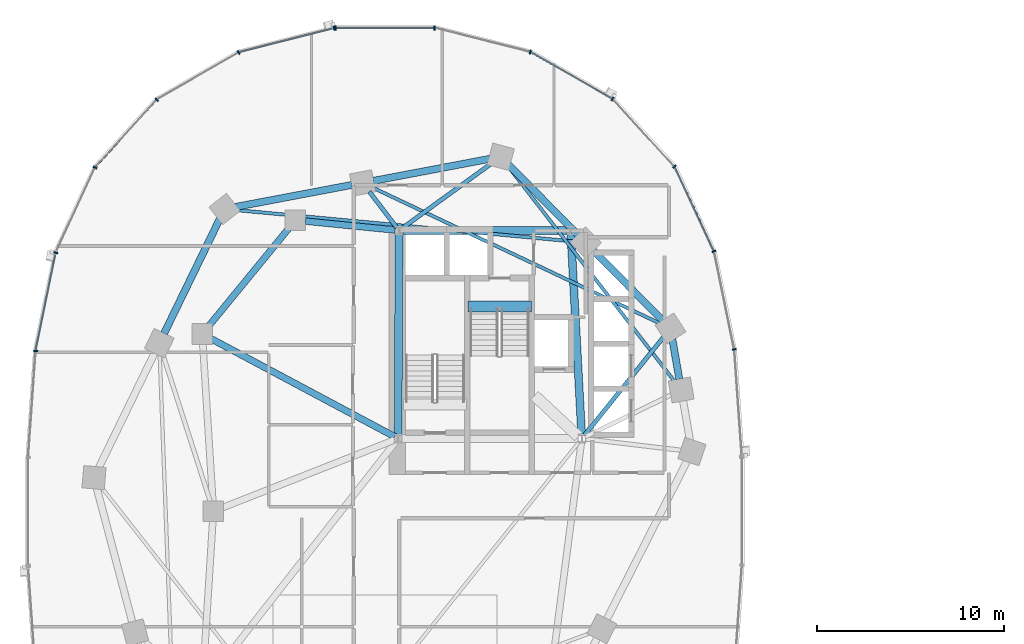
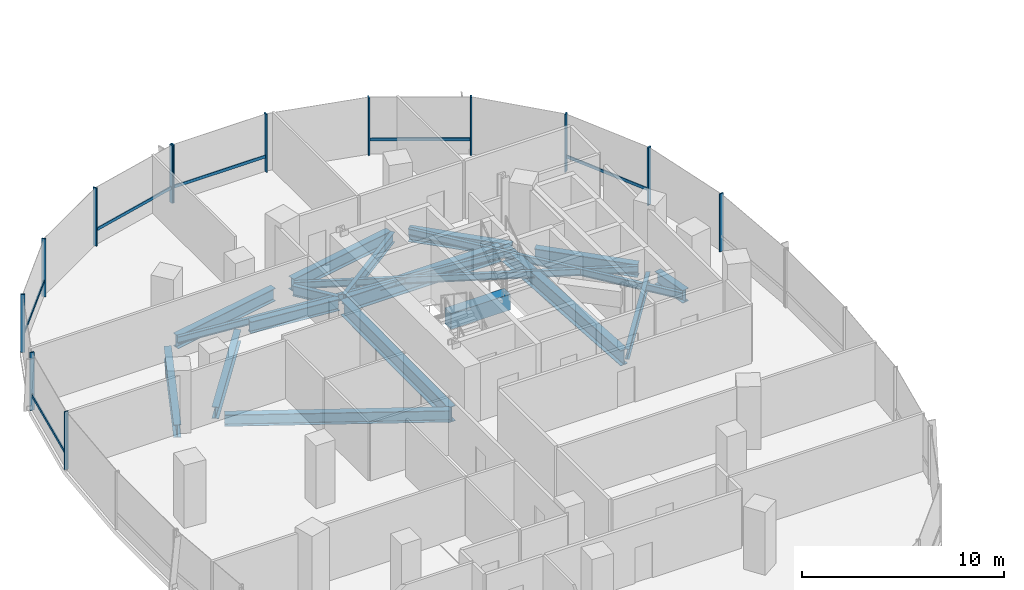
# One storey, part 4 of 22: 19 beams, 19 members, 2 elements without a shape of their own.
"""IFC4 building model written with IfcOpenShell, lengths in metres."""

from ifc_helpers import new_model, si_unit, direction, frame, origin, origin_2d, place, context, subcontext, project, spatial, rectangle, i_section, extrude, material, material_profile, profile_set, type_object, element, aggregate, save


model = new_model("IFC4")

# Units and contexts
model_context = context("Model", 3, precision=1e-05, world=origin(), true_north=direction((0.0, 1.0)))
body_context = subcontext(model_context, "Body", "Model", "MODEL_VIEW")
ifc_project = project(units=[si_unit("LENGTHUNIT", "METRE"), si_unit("AREAUNIT", "SQUARE_METRE"), si_unit("VOLUMEUNIT", "CUBIC_METRE"), si_unit("PLANEANGLEUNIT", "RADIAN"), si_unit("MASSUNIT", "GRAM", prefix="KILO"), si_unit("THERMODYNAMICTEMPERATUREUNIT", "KELVIN"), si_unit("POWERUNIT", "WATT")], contexts=[model_context])

# Site, building, storey
site_placement = place(None, origin())
site = spatial("IfcSite", under=ifc_project, at=site_placement, CompositionType="ELEMENT")
building_placement = place(site_placement, origin())
building = spatial("IfcBuilding", under=site, at=building_placement, Name="Cundina Bronze Exchange", CompositionType="ELEMENT")
storey_placement = place(building_placement, frame((0.0, 0.0, 35.39990234375)))
storey = spatial("IfcBuildingStorey", under=building, at=storey_placement, Name="L08", CompositionType="ELEMENT", Elevation=35.39990234375)

# Beams
ifc_material_1 = material(Name="Concrete C60/75", Category="concrete")
ifc_material_profile_1 = material_profile(ifc_material_1, rectangle(XDim=0.60009765625, YDim=0.949951171875, at=origin_2d()), Name="RC600X950", Category="concrete")
ifc_profile_set_1 = profile_set([ifc_material_profile_1], Name="Concrete C60/75")
beam_type_1 = type_object("IfcBeamType", Name="BM-COUP-RC950", PredefinedType="LINTEL", material=ifc_profile_set_1)
beam_1_placement = place(storey_placement, frame((-27.56005859375, 10.97998046875, -0.474853515625), z_axis=(1.0, 0.0, 0.0), x_axis=(0.0, 1.0, 0.0)))
element("IfcBeam", 1, at=beam_1_placement, inside=storey, type_object=beam_type_1, Name="L08 Stair W2 Landing Header Beam", PredefinedType="LINTEL", context=body_context, shape_type="SweptSolid", body=[
    extrude(rectangle(XDim=0.60009765625, YDim=0.949951171875, at=origin_2d()), origin(), (0.0, 0.0, 1.0), 3.400146484375),
])
ifc_material_2 = material(Name="Steel ASTM A992 Grade 50", Category="steel")
ifc_material_profile_2 = material_profile(ifc_material_2, i_section(OverallWidth=0.22998046875, OverallDepth=0.616943359375, WebThickness=0.01318359375, FlangeThickness=0.022216796875, FilletRadius=0.013916015625, at=origin_2d()), Name="W24X94", Category="steel")
ifc_profile_set_2 = profile_set([ifc_material_profile_2], Name="Steel ASTM A992 Grade 50")
beam_type_2 = type_object("IfcBeamType", Name="BM-FLR-W24B", PredefinedType="BEAM", material=ifc_profile_set_2)
beam_2_placement = place(storey_placement, frame((-21.322021484375, 4.058837890625, -0.6083984375), z_axis=(0.627106366175, 0.778933633568, 0.0), x_axis=(-0.778933633568, 0.627106366175, 0.0)))
element("IfcBeam", 2, at=beam_2_placement, inside=storey, type_object=beam_type_2, Name="L08 Leg W Radial Floor Beam 02", PredefinedType="BEAM", context=body_context, shape_type="SweptSolid", body=[
    extrude(i_section(OverallWidth=0.22998046875, OverallDepth=0.616943359375, WebThickness=0.01318359375, FlangeThickness=0.022216796875, FilletRadius=0.013916015625, at=origin_2d()), origin(), (0.0, 0.0, 1.0), 6.78271484375),
])
beam_3_placement = place(storey_placement, frame((-31.084716796875, 15.169677734375, -0.6083984375), z_axis=(0.809700299677, 0.586843611794, 0.0), x_axis=(-0.586843611794, 0.809700299677, 0.0)))
element("IfcBeam", 3, at=beam_3_placement, inside=storey, type_object=beam_type_2, Name="L08 Leg W Radial Floor Beam 04", PredefinedType="BEAM", context=body_context, shape_type="SweptSolid", body=[
    extrude(i_section(OverallWidth=0.22998046875, OverallDepth=0.616943359375, WebThickness=0.01318359375, FlangeThickness=0.022216796875, FilletRadius=0.013916015625, at=origin_2d()), origin(), (0.0, 0.0, 1.0), 5.938720703125),
])
beam_4_placement = place(storey_placement, frame((-31.373779296875, 15.2119140625, -0.6083984375), z_axis=(-0.607468844289, 0.794343504548, 0.0), x_axis=(-0.794343504548, -0.607468844289, 0.0)))
element("IfcBeam", 4, at=beam_4_placement, inside=storey, type_object=beam_type_2, Name="L08 Leg W Radial Floor Beam 05", PredefinedType="BEAM", context=body_context, shape_type="SweptSolid", body=[
    extrude(i_section(OverallWidth=0.22998046875, OverallDepth=0.616943359375, WebThickness=0.01318359375, FlangeThickness=0.022216796875, FilletRadius=0.013916015625, at=origin_2d()), origin(), (0.0, 0.0, 1.0), 2.418212890625),
])
ifc_material_profile_3 = material_profile(ifc_material_2, i_section(OverallWidth=0.178955078125, OverallDepth=0.409912109375, WebThickness=0.0087890625, FlangeThickness=0.014404296875, FilletRadius=0.010986328125, at=origin_2d()), Name="W16X45", Category="steel")
ifc_profile_set_3 = profile_set([ifc_material_profile_3], Name="Steel ASTM A992 Grade 50")
beam_type_3 = type_object("IfcBeamType", Name="BM-JST-W16", PredefinedType="JOIST", material=ifc_profile_set_3)
beam_5_placement = place(storey_placement, frame((-16.48486328125, 6.965087890625, -0.5048828125), z_axis=(-0.612089386305, 0.790788583108, 0.0), x_axis=(-0.790788583108, -0.612089386305, 0.0)))
element("IfcBeam", 5, at=beam_5_placement, inside=storey, type_object=beam_type_3, Name="L08 Leg W Lobe Floor Joist 01-04", PredefinedType="JOIST", context=body_context, shape_type="SweptSolid", body=[
    extrude(i_section(OverallWidth=0.178955078125, OverallDepth=0.409912109375, WebThickness=0.0087890625, FlangeThickness=0.014404296875, FilletRadius=0.010986328125, at=origin_2d()), origin(), (0.0, 0.0, 1.0), 14.630859375),
])
beam_6_placement = place(storey_placement, frame((-17.231689453125, 10.05126953125, -0.5048828125), z_axis=(-0.904072668297, 0.427378766949, 0.0), x_axis=(-0.427378766949, -0.904072668297, 0.0)))
element("IfcBeam", 6, at=beam_6_placement, inside=storey, type_object=beam_type_3, Name="L08 Leg W Lobe Floor Joist 02-05", PredefinedType="JOIST", context=body_context, shape_type="SweptSolid", body=[
    extrude(i_section(OverallWidth=0.178955078125, OverallDepth=0.409912109375, WebThickness=0.0087890625, FlangeThickness=0.014404296875, FilletRadius=0.010986328125, at=origin_2d()), origin(), (0.0, 0.0, 1.0), 17.07470703125),
])
beam_7_placement = place(storey_placement, frame((-21.83544921875, 14.45458984375, -0.5048828125), z_axis=(-0.995701961644, 0.09261535282, 0.0), x_axis=(-0.09261535282, -0.995701961644, 0.0)))
element("IfcBeam", 7, at=beam_7_placement, inside=storey, type_object=beam_type_3, Name="L08 Leg W Lobe Floor Joist 03-06", PredefinedType="JOIST", context=body_context, shape_type="SweptSolid", body=[
    extrude(i_section(OverallWidth=0.178955078125, OverallDepth=0.409912109375, WebThickness=0.0087890625, FlangeThickness=0.014404296875, FilletRadius=0.010986328125, at=origin_2d()), origin(), (0.0, 0.0, 1.0), 18.25732421875),
])
ifc_material_profile_4 = material_profile(ifc_material_2, i_section(OverallWidth=0.35498046875, OverallDepth=0.695068359375, WebThickness=0.015380859375, FlangeThickness=0.02490234375, FilletRadius=0.01806640625, at=origin_2d()), Name="W27X146", Category="steel")
ifc_profile_set_4 = profile_set([ifc_material_profile_4], Name="Steel ASTM A992 Grade 50")
beam_type_4 = type_object("IfcBeamType", Name="BM-RING-W27", PredefinedType="USERDEFINED", material=ifc_profile_set_4)
beam_8_placement = place(storey_placement, frame((-31.452880859375, 15.070068359375, -0.6474609375), z_axis=(-0.995126271817, 0.098608839051, 0.0), x_axis=(-0.098608839051, -0.995126271817, 0.0)))
element("IfcBeam", 8, at=beam_8_placement, inside=storey, type_object=beam_type_4, Name="L08 W Inner Structural Ring Girder 01", ObjectType="GIRDER", PredefinedType="USERDEFINED", context=body_context, shape_type="SweptSolid", body=[
    extrude(i_section(OverallWidth=0.35498046875, OverallDepth=0.695068359375, WebThickness=0.015380859375, FlangeThickness=0.02490234375, FilletRadius=0.01806640625, at=origin_2d()), origin(), (0.0, 0.0, 1.0), 4.83544921875),
])
beam_9_placement = place(storey_placement, frame((-37.14111328125, 15.183837890625, -0.6474609375), z_axis=(-0.633926549035, -0.773393257295, 0.0), x_axis=(0.773393257295, -0.633926549035, 0.0)))
element("IfcBeam", 9, at=beam_9_placement, inside=storey, type_object=beam_type_4, Name="L08 W Inner Structural Ring Girder 02", ObjectType="GIRDER", PredefinedType="USERDEFINED", context=body_context, shape_type="SweptSolid", body=[
    extrude(i_section(OverallWidth=0.35498046875, OverallDepth=0.695068359375, WebThickness=0.015380859375, FlangeThickness=0.02490234375, FilletRadius=0.01806640625, at=origin_2d()), origin(), (0.0, 0.0, 1.0), 6.811279296875),
])
beam_10_placement = place(storey_placement, frame((-31.47998046875, 3.99609375, -0.6474609375), z_axis=(-0.882354758239, 0.470584828286, 0.0), x_axis=(-0.470584828286, -0.882354758239, 0.0)))
element("IfcBeam", 10, at=beam_10_placement, inside=storey, type_object=beam_type_4, Name="L08 W Core-to-Waist Tie Beam 2", ObjectType="GIRDER", PredefinedType="USERDEFINED", context=body_context, shape_type="SweptSolid", body=[
    extrude(i_section(OverallWidth=0.35498046875, OverallDepth=0.695068359375, WebThickness=0.015380859375, FlangeThickness=0.02490234375, FilletRadius=0.01806640625, at=origin_2d()), origin(), (0.0, 0.0, 1.0), 11.157958984375),
])
ifc_material_profile_5 = material_profile(ifc_material_2, i_section(OverallWidth=0.381103515625, OverallDepth=0.77294921875, WebThickness=0.0166015625, FlangeThickness=0.027099609375, FilletRadius=0.01904296875, at=origin_2d()), Name="W30X173", Category="steel")
ifc_profile_set_5 = profile_set([ifc_material_profile_5], Name="Steel ASTM A992 Grade 50")
beam_type_5 = type_object("IfcBeamType", Name="BM-RING-W30", PredefinedType="USERDEFINED", material=ifc_profile_set_5)
beam_11_placement = place(storey_placement, frame((-16.225830078125, 7.079345703125, -0.6865234375), z_axis=(-0.171734584051, 0.985143254883, 0.0), x_axis=(-0.985143254883, -0.171734584051, 0.0)))
element("IfcBeam", 11, at=beam_11_placement, inside=storey, type_object=beam_type_5, Name="L08 W Perimeter Ring Girder 01", ObjectType="GIRDER", PredefinedType="USERDEFINED", context=body_context, shape_type="SweptSolid", body=[
    extrude(i_section(OverallWidth=0.381103515625, OverallDepth=0.77294921875, WebThickness=0.0166015625, FlangeThickness=0.027099609375, FilletRadius=0.01904296875, at=origin_2d()), origin(), (0.0, 0.0, 1.0), 2.173583984375),
])
for number, where, z_axis, x_axis, name in (
    (12, (-17.113525390625, 10.218017578125, -0.6865234375), (-0.703222428859, 0.710969911845, 0.0), (-0.710969911845, -0.703222428859, 0.0), "L08 W Perimeter Ring Girder 02"),
    (13, (-21.66357421875, 14.818115234375, -0.6865234375), (-0.703222428859, 0.710969911845, 0.0), (-0.710969911845, -0.703222428859, 0.0), "L08 W Perimeter Ring Girder 03"),
):
    element("IfcBeam", number, at=place(storey_placement, frame(where, z_axis=z_axis, x_axis=x_axis)), inside=storey, type_object=beam_type_5, Name=name, ObjectType="GIRDER", PredefinedType="USERDEFINED", context=body_context, shape_type="SweptSolid", body=[
        extrude(i_section(OverallWidth=0.381103515625, OverallDepth=0.77294921875, WebThickness=0.0166015625, FlangeThickness=0.027099609375, FilletRadius=0.01904296875, at=origin_2d()), origin(), (0.0, 0.0, 1.0), 5.2939453125),
    ])
beam_12_placement = place(storey_placement, frame((-26.377685546875, 18.890625, -0.6865234375), z_axis=(-0.982570814598, -0.185888661031, 0.0), x_axis=(0.185888661031, -0.982570814598, 0.0)))
element("IfcBeam", 14, at=beam_12_placement, inside=storey, type_object=beam_type_5, Name="L08 W Perimeter Ring Girder 04", ObjectType="GIRDER", PredefinedType="USERDEFINED", context=body_context, shape_type="SweptSolid", body=[
    extrude(i_section(OverallWidth=0.381103515625, OverallDepth=0.77294921875, WebThickness=0.0166015625, FlangeThickness=0.027099609375, FilletRadius=0.01904296875, at=origin_2d()), origin(), (0.0, 0.0, 1.0), 6.35546875),
])
beam_13_placement = place(storey_placement, frame((-33.77783203125, 17.49072265625, -0.6865234375), z_axis=(-0.982569487119, -0.185895677686, 0.0), x_axis=(0.185895677686, -0.982569487119, 0.0)))
element("IfcBeam", 15, at=beam_13_placement, inside=storey, type_object=beam_type_5, Name="L08 W Perimeter Ring Girder 05", ObjectType="GIRDER", PredefinedType="USERDEFINED", context=body_context, shape_type="SweptSolid", body=[
    extrude(i_section(OverallWidth=0.381103515625, OverallDepth=0.77294921875, WebThickness=0.0166015625, FlangeThickness=0.027099609375, FilletRadius=0.01904296875, at=origin_2d()), origin(), (0.0, 0.0, 1.0), 6.355224609375),
])
beam_14_placement = place(storey_placement, frame((-40.857177734375, 15.671142578125, -0.6865234375), z_axis=(-0.437190698904, -0.899368830231, 0.0), x_axis=(0.899368830231, -0.437190698904, 0.0)))
element("IfcBeam", 16, at=beam_14_placement, inside=storey, type_object=beam_type_5, Name="L08 W Perimeter Ring Girder 06", ObjectType="GIRDER", PredefinedType="USERDEFINED", context=body_context, shape_type="SweptSolid", body=[
    extrude(i_section(OverallWidth=0.381103515625, OverallDepth=0.77294921875, WebThickness=0.0166015625, FlangeThickness=0.027099609375, FilletRadius=0.01904296875, at=origin_2d()), origin(), (0.0, 0.0, 1.0), 6.82958984375),
])
ifc_material_profile_6 = material_profile(ifc_material_2, i_section(OverallWidth=0.41796875, OverallDepth=0.927001953125, WebThickness=0.019287109375, FlangeThickness=0.031982421875, FilletRadius=0.02392578125, at=origin_2d()), Name="W36X231", Category="steel")
ifc_profile_set_6 = profile_set([ifc_material_profile_6], Name="Steel ASTM A992 Grade 50")
beam_type_6 = type_object("IfcBeamType", Name="BM-WRN-W36B", PredefinedType="USERDEFINED", material=ifc_profile_set_6)
beam_15_placement = place(storey_placement, frame((-21.4609375, 4.103759765625, -0.763427734375), z_axis=(-0.053739193498, 0.998555005537, 0.0), x_axis=(-0.998555005537, -0.053739193498, 0.0)))
element("IfcBeam", 17, at=beam_15_placement, inside=storey, type_object=beam_type_6, Name="L08 W Core Perimeter Tie Girder 2", ObjectType="GIRDER", PredefinedType="USERDEFINED", context=body_context, shape_type="SweptSolid", body=[
    extrude(i_section(OverallWidth=0.41796875, OverallDepth=0.927001953125, WebThickness=0.019287109375, FlangeThickness=0.031982421875, FilletRadius=0.02392578125, at=origin_2d()), origin(), (0.0, 0.0, 1.0), 10.758056640625),
])
beam_16_placement = place(storey_placement, frame((-22.25390625, 15.050048828125, -0.763427734375), z_axis=(-1.0, 0.0, 0.0), x_axis=(0.0, -1.0, 0.0)))
element("IfcBeam", 18, at=beam_16_placement, inside=storey, type_object=beam_type_6, Name="L08 W Core Perimeter Tie Girder 3", ObjectType="GIRDER", PredefinedType="USERDEFINED", context=body_context, shape_type="SweptSolid", body=[
    extrude(i_section(OverallWidth=0.41796875, OverallDepth=0.927001953125, WebThickness=0.019287109375, FlangeThickness=0.031982421875, FilletRadius=0.02392578125, at=origin_2d()), origin(), (0.0, 0.0, 1.0), 8.7919921875),
])
beam_17_placement = place(storey_placement, frame((-31.2509765625, 14.845947265625, -0.763427734375), z_axis=(-0.004477329608, -0.99998997671, 0.0), x_axis=(0.99998997671, -0.004477329608, 0.0)))
element("IfcBeam", 19, at=beam_17_placement, inside=storey, type_object=beam_type_6, Name="L08 W Core Perimeter Tie Girder 4", ObjectType="GIRDER", PredefinedType="USERDEFINED", context=body_context, shape_type="SweptSolid", body=[
    extrude(i_section(OverallWidth=0.41796875, OverallDepth=0.927001953125, WebThickness=0.019287109375, FlangeThickness=0.031982421875, FilletRadius=0.02392578125, at=origin_2d()), origin(), (0.0, 0.0, 1.0), 10.741943359375),
])

# Curtain wall, members
ifc_material_3 = material(Name="Anodised Bronze Aluminium 6063-T6", Category="aluminium")
curtain_wall_type = type_object("IfcCurtainWallType", Name="CWS-TRD-LOW", PredefinedType="NOTDEFINED", material=ifc_material_3)
curtain_wall_1_placement = place(storey_placement, origin())
curtain_wall_1 = element("IfcCurtainWall", 20, at=curtain_wall_1_placement, inside=storey, type_object=curtain_wall_type, Name="L08 CW-02 Curtain Wall Run CWR-L08-W1", PredefinedType="NOTDEFINED")
ifc_material_profile_7 = material_profile(ifc_material_3, rectangle(XDim=0.074951171875, YDim=0.219970703125, at=origin_2d()), Name="AL75X220", Category="aluminium")
ifc_profile_set_7 = profile_set([ifc_material_profile_7], Name="Anodised Bronze Aluminium 6063-T6")
member_type_1 = type_object("IfcMemberType", Name="CWM-MUL-220", PredefinedType="MULLION", material=ifc_profile_set_7)
member_1_placement = place(storey_placement, frame((-13.282958984375, 8.67822265625, 0.0), z_axis=(0.0, 0.0, 1.0), x_axis=(-0.201419845156, 0.979505000486, 0.0)))
member_1 = element("IfcMember", 21, at=member_1_placement, type_object=member_type_1, Name="CW-02 Mullion 2", PredefinedType="MULLION", context=body_context, shape_type="SweptSolid", body=[
    extrude(rectangle(XDim=0.074951171875, YDim=0.219970703125, at=origin_2d()), origin(), (0.0, 0.0, 1.0), 3.5),
])
member_2_placement = place(storey_placement, frame((-14.3720703125, 13.931884765625, 0.0), z_axis=(0.0, 0.0, 1.0), x_axis=(-0.42087749791, 0.907117485088, 0.0)))
member_2 = element("IfcMember", 22, at=member_2_placement, type_object=member_type_1, Name="CW-02 Mullion 3", PredefinedType="MULLION", context=body_context, shape_type="SweptSolid", body=[
    extrude(rectangle(XDim=0.074951171875, YDim=0.219970703125, at=origin_2d()), origin(), (0.0, 0.0, 1.0), 3.5),
])
member_3_placement = place(storey_placement, frame((-16.491455078125, 18.47705078125, 0.0), z_axis=(0.0, 0.0, 1.0), x_axis=(-0.674302387584, 0.738455340626, 0.0)))
member_3 = element("IfcMember", 23, at=member_3_placement, type_object=member_type_1, Name="CW-02 Mullion 4", PredefinedType="MULLION", context=body_context, shape_type="SweptSolid", body=[
    extrude(rectangle(XDim=0.074951171875, YDim=0.219970703125, at=origin_2d()), origin(), (0.0, 0.0, 1.0), 3.5),
])
member_4_placement = place(storey_placement, frame((-19.810302734375, 22.097412109375, 0.0), z_axis=(0.0, 0.0, 1.0), x_axis=(-0.867070701164, 0.498185105339, 0.0)))
member_4 = element("IfcMember", 24, at=member_4_placement, type_object=member_type_1, Name="CW-02 Mullion 5", PredefinedType="MULLION", context=body_context, shape_type="SweptSolid", body=[
    extrude(rectangle(XDim=0.074951171875, YDim=0.219970703125, at=origin_2d()), origin(), (0.0, 0.0, 1.0), 3.5),
])
member_5_placement = place(storey_placement, frame((-24.21484375, 24.61669921875, 0.0), z_axis=(0.0, 0.0, 1.0), x_axis=(-0.969488149345, 0.245138182011, 0.0)))
member_5 = element("IfcMember", 25, at=member_5_placement, type_object=member_type_1, Name="CW-02 Mullion 6", PredefinedType="MULLION", context=body_context, shape_type="SweptSolid", body=[
    extrude(rectangle(XDim=0.074951171875, YDim=0.219970703125, at=origin_2d()), origin(), (0.0, 0.0, 1.0), 3.5),
])
member_6_placement = place(storey_placement, frame((-29.345458984375, 25.905029296875, 0.0), z_axis=(0.0, 0.0, 1.0), x_axis=(-1.0, 0.0, 0.0)))
member_6 = element("IfcMember", 26, at=member_6_placement, type_object=member_type_1, Name="CW-02 Mullion 7", PredefinedType="MULLION", context=body_context, shape_type="SweptSolid", body=[
    extrude(rectangle(XDim=0.074951171875, YDim=0.219970703125, at=origin_2d()), origin(), (0.0, 0.0, 1.0), 3.5),
])
member_7_placement = place(storey_placement, frame((-34.654541015625, 25.905029296875, 0.0), z_axis=(0.0, 0.0, 1.0), x_axis=(-1.0, 0.0, 0.0)))
member_7 = element("IfcMember", 27, at=member_7_placement, type_object=member_type_1, Name="CW-02 End Mullion", PredefinedType="MULLION", context=body_context, shape_type="SweptSolid", body=[
    extrude(rectangle(XDim=0.074951171875, YDim=0.219970703125, at=origin_2d()), origin(), (0.0, 0.0, 1.0), 3.5),
])

curtain_wall_2_placement = place(storey_placement, origin())
curtain_wall_2 = element("IfcCurtainWall", 28, at=curtain_wall_2_placement, inside=storey, type_object=curtain_wall_type, Name="L08 CW-02 Curtain Wall Run CWR-L08-W2", PredefinedType="NOTDEFINED")
member_8_placement = place(storey_placement, frame((-34.72607421875, 25.89599609375, 0.0), z_axis=(0.0, 0.0, 1.0), x_axis=(-0.969488149345, -0.245138182011, 0.0)))
member_8 = element("IfcMember", 29, at=member_8_placement, type_object=member_type_1, Name="CW-02 Mullion 1", PredefinedType="MULLION", context=body_context, shape_type="SweptSolid", body=[
    extrude(rectangle(XDim=0.074951171875, YDim=0.219970703125, at=origin_2d()), origin(), (0.0, 0.0, 1.0), 3.5),
])
member_9_placement = place(storey_placement, frame((-39.848876953125, 24.591064453125, 0.0), z_axis=(0.0, 0.0, 1.0), x_axis=(-0.867070701164, -0.498185105339, 0.0)))
member_9 = element("IfcMember", 30, at=member_9_placement, type_object=member_type_1, Name="CW-02 Mullion 2", PredefinedType="MULLION", context=body_context, shape_type="SweptSolid", body=[
    extrude(rectangle(XDim=0.074951171875, YDim=0.219970703125, at=origin_2d()), origin(), (0.0, 0.0, 1.0), 3.5),
])
member_10_placement = place(storey_placement, frame((-44.239501953125, 22.0576171875, 0.0), z_axis=(0.0, 0.0, 1.0), x_axis=(-0.674302387584, -0.738455340626, 0.0)))
member_10 = element("IfcMember", 31, at=member_10_placement, type_object=member_type_1, Name="CW-02 Mullion 3", PredefinedType="MULLION", context=body_context, shape_type="SweptSolid", body=[
    extrude(rectangle(XDim=0.074951171875, YDim=0.219970703125, at=origin_2d()), origin(), (0.0, 0.0, 1.0), 3.5),
])
member_11_placement = place(storey_placement, frame((-47.544189453125, 18.423583984375, 0.0), z_axis=(0.0, 0.0, 1.0), x_axis=(-0.42087749791, -0.907117485088, 0.0)))
member_11 = element("IfcMember", 32, at=member_11_placement, type_object=member_type_1, Name="CW-02 Mullion 4", PredefinedType="MULLION", context=body_context, shape_type="SweptSolid", body=[
    extrude(rectangle(XDim=0.074951171875, YDim=0.219970703125, at=origin_2d()), origin(), (0.0, 0.0, 1.0), 3.5),
])
member_12_placement = place(storey_placement, frame((-49.651123046875, 13.861328125, 0.0), z_axis=(0.0, 0.0, 1.0), x_axis=(-0.201419845156, -0.979505000486, 0.0)))
member_12 = element("IfcMember", 33, at=member_12_placement, type_object=member_type_1, Name="CW-02 Mullion 5", PredefinedType="MULLION", context=body_context, shape_type="SweptSolid", body=[
    extrude(rectangle(XDim=0.074951171875, YDim=0.219970703125, at=origin_2d()), origin(), (0.0, 0.0, 1.0), 3.5),
])
member_13_placement = place(storey_placement, frame((-50.72900390625, 8.591552734375, 0.0), z_axis=(0.0, 0.0, 1.0), x_axis=(-0.070278787473, -0.997527389113, 0.0)))
member_13 = element("IfcMember", 34, at=member_13_placement, type_object=member_type_1, Name="CW-02 Mullion 6", PredefinedType="MULLION", context=body_context, shape_type="SweptSolid", body=[
    extrude(rectangle(XDim=0.074951171875, YDim=0.219970703125, at=origin_2d()), origin(), (0.0, 0.0, 1.0), 3.5),
])

# Member
ifc_material_profile_8 = material_profile(ifc_material_3, rectangle(XDim=0.070068359375, YDim=0.179931640625, at=origin_2d()), Name="AL70X180", Category="aluminium")
ifc_profile_set_8 = profile_set([ifc_material_profile_8], Name="Anodised Bronze Aluminium 6063-T6")
member_type_2 = type_object("IfcMemberType", Name="CWM-TRN-180", PredefinedType="USERDEFINED", material=ifc_profile_set_8)
member_14_placement = place(storey_placement, frame((-14.389404296875, 13.96923828125, 0.920166015625), z_axis=(-0.420811422796, 0.907148139195, 0.0), x_axis=(-0.907148139195, -0.420811422796, 0.0)))
member_14 = element("IfcMember", 35, at=member_14_placement, type_object=member_type_2, Name="CW-02 Spandrel Transom 3", ObjectType="TRANSOM", PredefinedType="USERDEFINED", context=body_context, shape_type="SweptSolid", body=[
    extrude(rectangle(XDim=0.070068359375, YDim=0.179931640625, at=origin_2d()), origin(), (0.0, 0.0, 1.0), 4.95166015625),
])

member_15_placement = place(storey_placement, frame((-19.845947265625, 22.117919921875, 0.920166015625), z_axis=(-0.867097475651, 0.498138502546, 0.0), x_axis=(-0.498138502546, -0.867097475651, 0.0)))
member_15 = element("IfcMember", 36, at=member_15_placement, type_object=member_type_2, Name="CW-02 Spandrel Transom 5", ObjectType="TRANSOM", PredefinedType="USERDEFINED", context=body_context, shape_type="SweptSolid", body=[
    extrude(rectangle(XDim=0.070068359375, YDim=0.179931640625, at=origin_2d()), origin(), (0.0, 0.0, 1.0), 5.00634765625),
])

member_16_placement = place(storey_placement, frame((-29.38671875, 25.905029296875, 0.920166015625), z_axis=(-1.0, 0.0, 0.0), x_axis=(0.0, -1.0, 0.0)))
member_16 = element("IfcMember", 37, at=member_16_placement, type_object=member_type_2, Name="CW-02 Spandrel Transom 7", ObjectType="TRANSOM", PredefinedType="USERDEFINED", context=body_context, shape_type="SweptSolid", body=[
    extrude(rectangle(XDim=0.070068359375, YDim=0.179931640625, at=origin_2d()), origin(), (0.0, 0.0, 1.0), 5.2265625),
])

aggregate(curtain_wall_1, [member_1, member_2, member_14, member_3, member_4, member_15, member_5, member_6, member_7, member_16])

member_17_placement = place(storey_placement, frame((-34.76611328125, 25.885986328125, 0.920166015625), z_axis=(-0.969483968866, -0.245154714644, 0.0), x_axis=(0.245154714644, -0.969483968866, 0.0)))
member_17 = element("IfcMember", 38, at=member_17_placement, type_object=member_type_2, Name="CW-02 Spandrel Transom 1", ObjectType="TRANSOM", PredefinedType="USERDEFINED", context=body_context, shape_type="SweptSolid", body=[
    extrude(rectangle(XDim=0.070068359375, YDim=0.179931640625, at=origin_2d()), origin(), (0.0, 0.0, 1.0), 5.21826171875),
])

member_18_placement = place(storey_placement, frame((-44.26708984375, 22.027099609375, 0.920166015625), z_axis=(-0.674302794847, -0.738454968743, 0.0), x_axis=(0.738454968743, -0.674302794847, 0.0)))
member_18 = element("IfcMember", 39, at=member_18_placement, type_object=member_type_2, Name="CW-02 Spandrel Transom 3", ObjectType="TRANSOM", PredefinedType="USERDEFINED", context=body_context, shape_type="SweptSolid", body=[
    extrude(rectangle(XDim=0.070068359375, YDim=0.179931640625, at=origin_2d()), origin(), (0.0, 0.0, 1.0), 4.848388671875),
])

member_19_placement = place(storey_placement, frame((-49.659423828125, 13.821044921875, 0.920166015625), z_axis=(-0.201427712708, -0.979503382615, 0.0), x_axis=(0.979503382615, -0.201427712708, 0.0)))
member_19 = element("IfcMember", 40, at=member_19_placement, type_object=member_type_2, Name="CW-02 Spandrel Transom 5", ObjectType="TRANSOM", PredefinedType="USERDEFINED", context=body_context, shape_type="SweptSolid", body=[
    extrude(rectangle(XDim=0.070068359375, YDim=0.179931640625, at=origin_2d()), origin(), (0.0, 0.0, 1.0), 5.291748046875),
])

aggregate(curtain_wall_2, [member_8, member_17, member_9, member_10, member_18, member_11, member_12, member_19, member_13])

save(model, "model.ifc")
